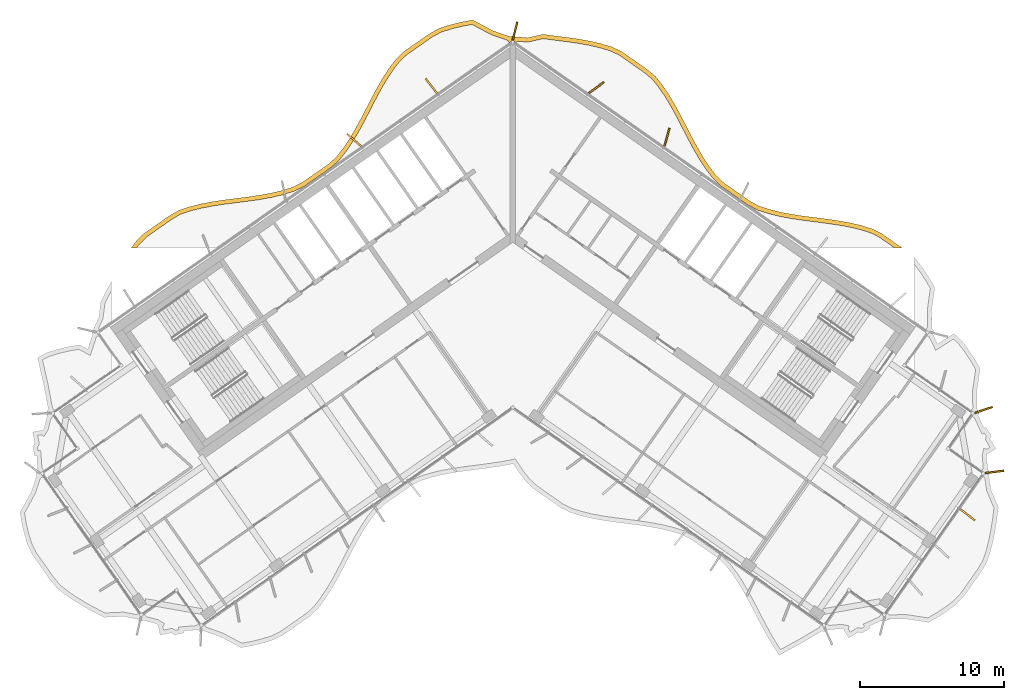
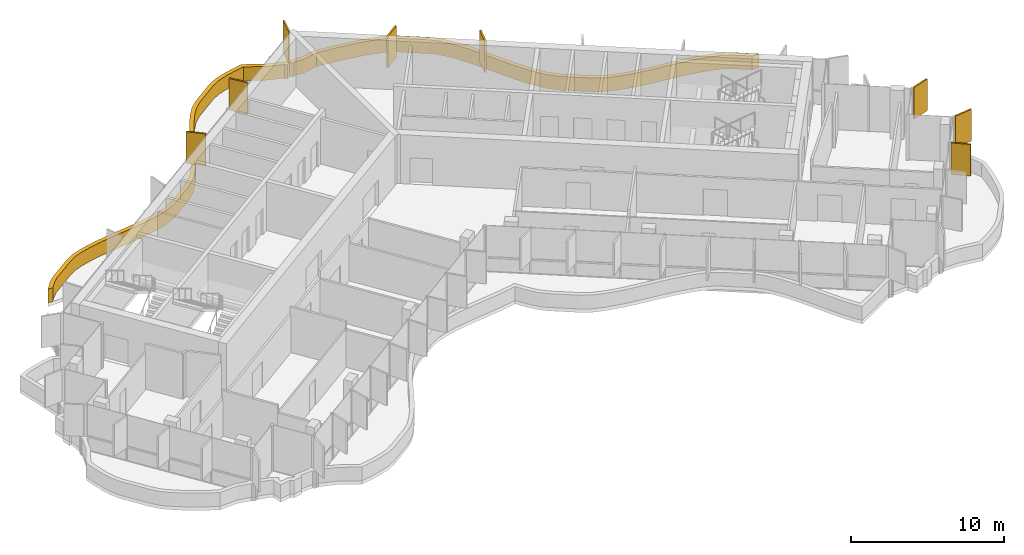
# One storey, part 20 of 20: 9 shading devices.
"""IFC4 building model written with IfcOpenShell, lengths in metres."""

from ifc_helpers import new_model, si_unit, direction, frame, origin, origin_2d, place, context, subcontext, project, spatial, polyline, rectangle, outline, extrude, material, layer, layer_set, type_object, element, save


model = new_model("IFC4")

# Units and contexts
model_context = context("Model", 3, precision=1e-05, world=origin(), true_north=direction((0.0, 1.0)))
body_context = subcontext(model_context, "Body", "Model", "MODEL_VIEW")
ifc_project = project(units=[si_unit("LENGTHUNIT", "METRE"), si_unit("AREAUNIT", "SQUARE_METRE"), si_unit("VOLUMEUNIT", "CUBIC_METRE"), si_unit("PLANEANGLEUNIT", "RADIAN"), si_unit("MASSUNIT", "GRAM", prefix="KILO")], contexts=[model_context])

# Site, building, storey
site_placement = place(None, origin())
site = spatial("IfcSite", under=ifc_project, at=site_placement, CompositionType="ELEMENT")
building_placement = place(site_placement, origin())
building = spatial("IfcBuilding", under=site, at=building_placement, Name="Tel Ilan Convention Tower", CompositionType="ELEMENT")
storey_placement = place(building_placement, frame((0.0, 0.0, 229.300048828125)))
storey = spatial("IfcBuildingStorey", under=building, at=storey_placement, Name="L53", CompositionType="ELEMENT", Elevation=229.300048828125)

# Shading devices
ifc_material_1 = material(Name="Aluminium, bronze anodised", Category="aluminium")
ifc_layer_1 = layer(ifc_material_1, 0.1201171875)
ifc_layer_set_1 = layer_set([ifc_layer_1], Name="FIN BRONZE 1300x120")
shading_device_type_1 = type_object("IfcShadingDeviceType", Name="FIN BRONZE 1300x120", PredefinedType="USERDEFINED", material=ifc_layer_set_1)
for number, where, z_axis, x_axis, name in (
    (1, (10.716064453125, 6.086669921875, 1.099853515625), (0.0, 0.0, 1.0), (0.268172612768, 0.963370878614, 0.0), "FIN"),
    (2, (5.80517578125, 9.525390625, 1.099853515625), (0.0, 0.0, 1.0), (0.813552070258, 0.581492071294, 0.0), "FIN"),
    (3, (0.156005859375, 13.463134765625, 1.099853515625), (0.0, 0.0, 1.0), (0.240039791311, 0.970763049661, 0.0), "FIN"),
    (4, (-5.664794921875, 9.647216796875, 1.099853515625), (0.0, 0.0, 1.0), (-0.612600545196, 0.790392669516, 0.0), "FIN"),
    (5, (-11.028076171875, 5.88330078125, 1.099853515625), (0.0, 0.0, 1.0), (-0.753435896329, 0.657521368568, 0.0), "FIN"),
    (6, (31.60693359375, -20.155517578125, 1.099853515625), (0.0, 0.0, 1.0), (0.790392669516, -0.612600545196, 0.0), "FIN"),
    (7, (33.48779296875, -17.175537109375, 1.099853515625), (0.0, 0.0, 1.0), (0.992066016082, 0.125718016748, 0.0), "FIN"),
    (8, (32.72900390625, -12.87353515625, 1.099853515625), (0.0, 0.0, 1.0), (0.949242643575, 0.314544756146, 0.0), "FIN"),
):
    element("IfcShadingDevice", number, at=place(storey_placement, frame(where, z_axis=z_axis, x_axis=x_axis)), inside=storey, type_object=shading_device_type_1, Name=name, ObjectType="FIN", PredefinedType="USERDEFINED", context=body_context, shape_type="SweptSolid", body=[
        extrude(rectangle(XDim=1.300048828125, YDim=0.1201171875, at=origin_2d()), origin(), (0.0, 0.0, 1.0), 2.52001953125),
    ])
ifc_material_2 = material(Name="Aluminium, bronze anodised", Category="aluminium")
ifc_layer_2 = layer(ifc_material_2, 0.300048828125)
ifc_layer_set_2 = layer_set([ifc_layer_2], Name="LOUVRE BAND 300x1100")
shading_device_type_2 = type_object("IfcShadingDeviceType", Name="LOUVRE BAND 300x1100", PredefinedType="USERDEFINED", material=ifc_layer_set_2)
shading_device_placement = place(storey_placement, origin())
element("IfcShadingDevice", 9, at=shading_device_placement, inside=storey, type_object=shading_device_type_2, Name="LOUVRE BAND 42.02", ObjectType="LOUVRE", PredefinedType="USERDEFINED", context=body_context, shape_type="SweptSolid", body=[
    extrude(outline(polyline([(-26.1787109375, -1.1572265625), (-26.535888671875, -1.631591796875), (-26.160400390625, -1.631591796875), (-25.951416015625, -1.35400390625), (-25.457275390625, -0.856689453125), (-23.680908203125, 0.38720703125), (-23.075439453125, 0.7314453125), (-22.38525390625, 0.962158203125), (-21.640625, 1.14990234375), (-20.86181640625, 1.298828125), (-20.0576171875, 1.420166015625), (-18.409423828125, 1.63232421875), (-17.585205078125, 1.750732421875), (-16.773193359375, 1.89599609375), (-15.982666015625, 2.081298828125), (-15.212646484375, 2.320556640625), (-14.499267578125, 2.665771484375), (-12.656005859375, 3.956298828125), (-12.066162109375, 4.474609375), (-11.566650390625, 5.110107421875), (-11.115234375, 5.78173828125), (-10.696044921875, 6.4892578125), (-10.29931640625, 7.220458984375), (-9.535400390625, 8.69873046875), (-9.148681640625, 9.41796875), (-8.746337890625, 10.106201171875), (-8.320556640625, 10.751220703125), (-7.871337890625, 11.33544921875), (-7.3623046875, 11.813720703125), (-5.585693359375, 13.0576171875), (-4.96826171875, 13.382568359375), (-4.27001953125, 13.607666015625), (-3.520751953125, 13.78955078125), (-2.834228515625, 13.914794921875), (-1.477294921875, 13.19677734375), (-0.362060546875, 12.81201171875), (-0.24609375, 12.646728515625), (0.0, 12.818115234375), (0.24609375, 12.646728515625), (0.318603515625, 12.75), (1.040771484375, 12.687744140625), (2.10400390625, 12.9296875), (3.699462890625, 12.72509765625), (4.510009765625, 12.60986328125), (5.2978515625, 12.47119140625), (6.054443359375, 12.297119140625), (6.765625, 12.080078125), (7.40185546875, 11.785888671875), (9.17822265625, 10.5419921875), (9.708740234375, 10.0908203125), (10.16162109375, 9.521240234375), (10.5927734375, 8.885498046875), (10.9990234375, 8.204833984375), (11.38818359375, 7.49072265625), (12.151123046875, 6.014404296875), (12.54443359375, 5.2802734375), (12.958740234375, 4.567138671875), (13.403076171875, 3.8876953125), (13.891357421875, 3.245849609375), (14.459716796875, 2.693359375), (16.302978515625, 1.40283203125), (16.991455078125, 1.02587890625), (17.759521484375, 0.773681640625), (18.544921875, 0.579345703125), (19.353271484375, 0.42724609375), (20.176025390625, 0.3046875), (21.826416015625, 0.092529296875), (22.634765625, -0.025146484375), (23.4189453125, -0.167724609375), (24.1708984375, -0.34716796875), (24.873291015625, -0.569580078125), (25.496826171875, -0.88427734375), (26.56396484375, -1.631591796875), (27.087158203125, -1.631591796875), (25.6513671875, -0.626220703125), (24.987060546875, -0.290771484375), (24.2509765625, -0.057861328125), (23.480712890625, 0.1259765625), (22.68310546875, 0.27099609375), (21.8671875, 0.3896484375), (20.21728515625, 0.601806640625), (19.4033203125, 0.72314453125), (18.60888671875, 0.87255859375), (17.842529296875, 1.062255859375), (17.111328125, 1.30224609375), (16.46142578125, 1.657958984375), (15.2548828125, 2.5029296875), (14.6513671875, 2.92529296875), (14.116455078125, 3.4453125), (13.648193359375, 4.060791015625), (13.214111328125, 4.724609375), (12.806396484375, 5.426513671875), (12.416748046875, 6.154052734375), (11.653076171875, 7.631591796875), (11.259521484375, 8.353515625), (10.845947265625, 9.046875), (10.403564453125, 9.69921875), (9.925537109375, 10.300537109375), (9.36181640625, 10.77978515625), (7.552001953125, 12.047119140625), (6.872802734375, 12.361083984375), (6.132080078125, 12.587158203125), (5.357666015625, 12.765380859375), (4.55712890625, 12.90625), (3.739501953125, 13.0224609375), (2.08935546875, 13.234130859375), (1.02001953125, 12.99072265625), (0.168701171875, 13.059326171875), (0.11474609375, 13.09521484375), (0.0, 13.1181640625), (-0.11474609375, 13.09521484375), (-0.168701171875, 13.059326171875), (-1.357666015625, 13.472900390625), (-2.785888671875, 14.228515625), (-3.5830078125, 14.083251953125), (-4.3515625, 13.896484375), (-5.0849609375, 13.66015625), (-5.7421875, 13.314453125), (-7.552001953125, 12.047119140625), (-8.09423828125, 11.53759765625), (-8.56494140625, 10.925537109375), (-9.001220703125, 10.264404296875), (-9.410400390625, 9.564697265625), (-9.801025390625, 8.838623046875), (-10.564453125, 7.36083984375), (-10.95703125, 6.63720703125), (-11.369140625, 5.94189453125), (-11.809326171875, 5.28662109375), (-12.284912109375, 4.681640625), (-12.841552734375, 4.192626953125), (-14.6513671875, 2.92529296875), (-15.3232421875, 2.6005859375), (-16.0615234375, 2.370849609375), (-16.833984375, 2.18994140625), (-17.6328125, 2.046875), (-18.44970703125, 1.9296875), (-20.099365234375, 1.71728515625), (-20.91259765625, 1.594482421875), (-21.705322265625, 1.44287109375), (-22.4697265625, 1.250244140625), (-23.1982421875, 1.0068359375), (-23.84130859375, 0.64111328125), (-25.6513671875, -0.626220703125), (-26.1787109375, -1.1572265625)])), origin(), (0.0, 0.0, 1.0), 1.099853515625),
])

save(model, "model.ifc")
